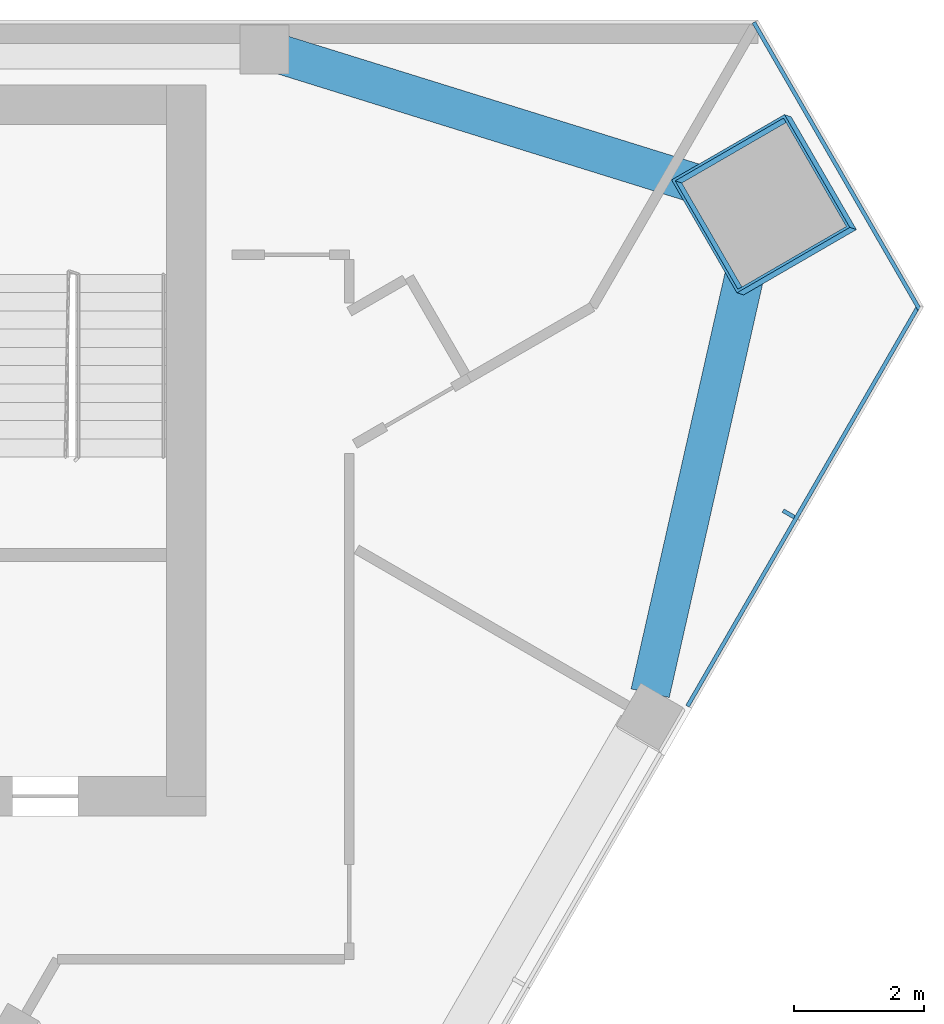
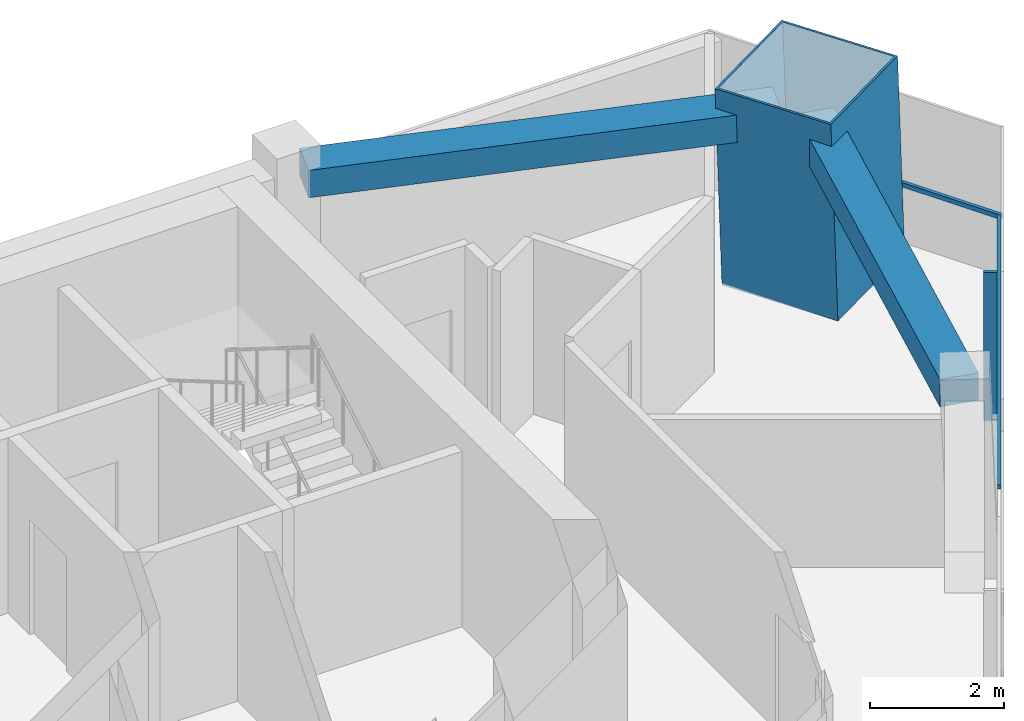
# One storey, part 6 of 12: 4 members, 2 beams, 2 elements without a shape of their own.
"""IFC4 building model written with IfcOpenShell, lengths in metres."""

from ifc_helpers import new_model, si_unit, direction, frame, origin, origin_2d, place, context, subcontext, project, spatial, rectangle, hollow_rectangle, extrude, material, layer, layer_set, material_profile, profile_set, type_object, element, aggregate, save


model = new_model("IFC4")

# Units and contexts
model_context = context("Model", 3, precision=1e-05, world=origin(), true_north=direction((0.0, 1.0)))
body_context = subcontext(model_context, "Body", "Model", "MODEL_VIEW")
ifc_project = project(units=[si_unit("LENGTHUNIT", "METRE"), si_unit("AREAUNIT", "SQUARE_METRE"), si_unit("VOLUMEUNIT", "CUBIC_METRE"), si_unit("PLANEANGLEUNIT", "RADIAN"), si_unit("MASSUNIT", "GRAM", prefix="KILO")], contexts=[model_context])

# Site, building, storey
site_placement = place(None, origin())
site = spatial("IfcSite", under=ifc_project, at=site_placement, CompositionType="ELEMENT")
building_placement = place(site_placement, origin())
building = spatial("IfcBuilding", under=site, at=building_placement, Name="Altiplano Prism Tower", CompositionType="ELEMENT")
storey_placement = place(building_placement, frame((0.0, 0.0, 257.199951171875)))
storey = spatial("IfcBuildingStorey", under=building, at=storey_placement, Name="L66", CompositionType="ELEMENT", Elevation=257.199951171875)

# Curtain wall, members
ifc_material_1 = material(Name="Aluminium and glass", Category="aluminium")
ifc_layer = layer(ifc_material_1, 0.303955078125)
ifc_layer_set = layer_set([ifc_layer], Name="Aluminium and glass")
curtain_wall_type = type_object("IfcCurtainWallType", Name="CW2 lounge-band unitised glazing", PredefinedType="NOTDEFINED", material=ifc_layer_set)
curtain_wall_1_placement = place(storey_placement, origin())
curtain_wall_1 = element("IfcCurtainWall", 1, at=curtain_wall_1_placement, inside=storey, type_object=curtain_wall_type, Name="CW2 curtain wall south-east face L66", PredefinedType="NOTDEFINED")
ifc_material_2 = material(Name="Aluminium", Category="aluminium")
ifc_material_profile_1 = material_profile(ifc_material_2, rectangle(XDim=0.199951171875, YDim=0.06005859375, at=origin_2d()), Name="CW2 mullion 60 x 200")
ifc_profile_set_1 = profile_set([ifc_material_profile_1], Name="Aluminium")
member_type_1 = type_object("IfcMemberType", Name="CW2 mullion 60 x 200", PredefinedType="MULLION", material=ifc_profile_set_1)
member_1_placement = place(storey_placement, frame((106.5361328125, 97.428466796875, 0.0), z_axis=(0.0, 0.0, 1.0), x_axis=(-0.866025401332, 0.500000004247, 0.0)))
member_1 = element("IfcMember", 2, at=member_1_placement, type_object=member_type_1, Name="CW2 mullion", PredefinedType="MULLION", context=body_context, shape_type="SweptSolid", body=[
    extrude(rectangle(XDim=0.199951171875, YDim=0.06005859375, at=origin_2d()), origin(), (0.0, 0.0, 1.0), 2.699951171875),
])
ifc_material_profile_2 = material_profile(ifc_material_2, rectangle(XDim=0.06005859375, YDim=0.080078125, at=origin_2d()), Name="CW2 transom 80 x 60")
ifc_profile_set_2 = profile_set([ifc_material_profile_2], Name="Aluminium")
member_type_2 = type_object("IfcMemberType", Name="CW2 transom 80 x 60", PredefinedType="USERDEFINED", material=ifc_profile_set_2)
member_2_placement = place(storey_placement, frame((104.98486328125, 94.481201171875, 1.10009765625), z_axis=(0.499986973919, 0.866032924265, 0.0), x_axis=(-0.866032924265, 0.499986973919, 0.0)))
member_2 = element("IfcMember", 3, at=member_2_placement, type_object=member_type_2, Name="CW2 transom", ObjectType="TRANSOM", PredefinedType="USERDEFINED", context=body_context, shape_type="SweptSolid", body=[
    extrude(rectangle(XDim=0.06005859375, YDim=0.080078125, at=origin_2d()), origin(), (0.0, 0.0, 1.0), 7.110595703125),
])
aggregate(curtain_wall_1, [member_1, member_2])

# Curtain wall, member
curtain_wall_2_placement = place(storey_placement, origin())
curtain_wall_2 = element("IfcCurtainWall", 4, at=curtain_wall_2_placement, inside=storey, type_object=curtain_wall_type, Name="CW2 curtain wall north-east chamfer L66", PredefinedType="NOTDEFINED")
member_3_placement = place(storey_placement, frame((108.5400390625, 100.565185546875, 1.10009765625), z_axis=(-0.500006836656, 0.866021456604, 0.0), x_axis=(-0.866021456604, -0.500006836656, 0.0)))
member_3 = element("IfcMember", 5, at=member_3_placement, type_object=member_type_2, Name="CW2 transom", ObjectType="TRANSOM", PredefinedType="USERDEFINED", context=body_context, shape_type="SweptSolid", body=[
    extrude(rectangle(XDim=0.06005859375, YDim=0.080078125, at=origin_2d()), origin(), (0.0, 0.0, 1.0), 5.078125),
])
aggregate(curtain_wall_2, [member_3])

# Beams
ifc_material_3 = material(Name="Concrete C60/75", Category="concrete")
ifc_material_profile_3 = material_profile(ifc_material_3, rectangle(XDim=0.60009765625, YDim=0.5, at=origin_2d()), Name="Edge beam 600x500")
ifc_profile_set_3 = profile_set([ifc_material_profile_3], Name="Concrete C60/75")
beam_type = type_object("IfcBeamType", Name="Edge beam 600x500", PredefinedType="SPANDREL", material=ifc_profile_set_3)
for number, where, z_axis, x_axis, name in (
    (6, (104.412109375, 94.68017578125, 2.949951171875), (0.220241214564, 0.975445440508, 0.0), (-0.975445440508, 0.220241214564, 0.0), "Edge beam P24-M2 L67"),
    (7, (105.6767578125, 102.318115234375, 2.949951171875), (-0.954889916006, 0.296960011296, 0.0), (-0.296960011296, -0.954889916006, 0.0), "Edge beam M2-P01 L67"),
):
    element("IfcBeam", number, at=place(storey_placement, frame(where, z_axis=z_axis, x_axis=x_axis)), inside=storey, type_object=beam_type, Name=name, PredefinedType="SPANDREL", context=body_context, shape_type="SweptSolid", body=[
        extrude(rectangle(XDim=0.60009765625, YDim=0.5, at=origin_2d()), origin(), (0.0, 0.0, 1.0), 7.242919921875),
    ])

# Member
ifc_material_4 = material(Name="Steel S460", Category="steel")
ifc_material_profile_4 = material_profile(ifc_material_4, hollow_rectangle(XDim=2.0, YDim=2.0, WallThickness=0.0400390625, at=origin_2d()), Name="Mega column tube 2000")
ifc_profile_set_4 = profile_set([ifc_material_profile_4], Name="Steel S460")
member_type_3 = type_object("IfcMemberType", Name="Mega column tube 2000", PredefinedType="POST", material=ifc_profile_set_4)
member_4_placement = place(storey_placement, frame((106.208740234375, 102.151123046875, 0.0), z_axis=(-0.028401814599, 0.009218727412, 0.999554076572), x_axis=(0.500747338873, -0.865308534207, 0.022209080133)))
element("IfcMember", 8, at=member_4_placement, inside=storey, type_object=member_type_3, Name="Mega column tube M2 L66", PredefinedType="POST", context=body_context, shape_type="SweptSolid", body=[
    extrude(hollow_rectangle(XDim=2.0, YDim=2.0, WallThickness=0.0400390625, at=origin_2d()), origin(), (0.0, 0.0, 1.0), 3.601806640625),
])

save(model, "model.ifc")
